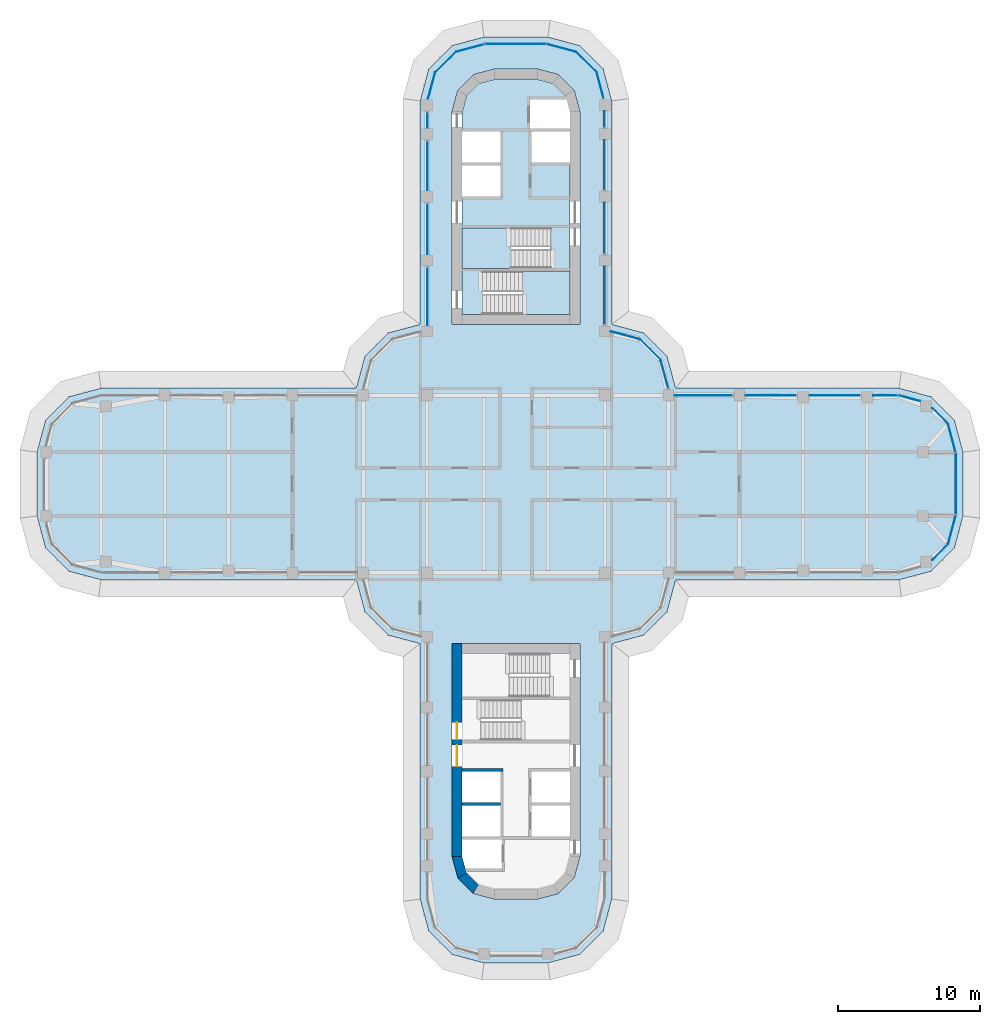
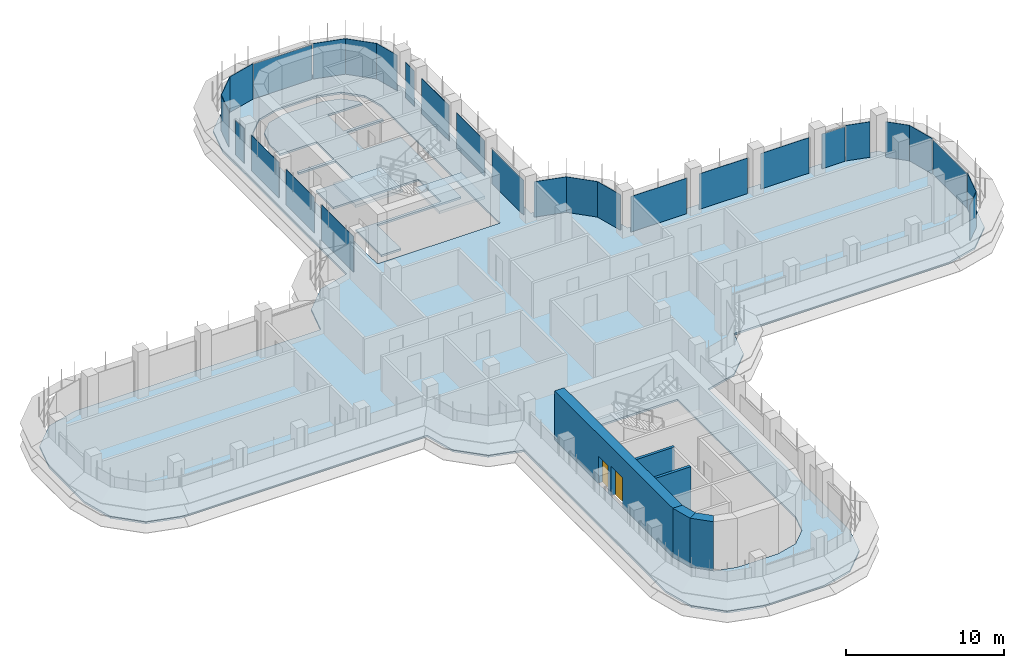
# One storey, part 13 of 20: 28 plates, 5 walls, 4 slabs, 2 doors, 2 openings, 21 elements without a shape of their own.
"""IFC4 building model written with IfcOpenShell, lengths in metres."""

from ifc_helpers import new_model, si_unit, direction, frame, frame_2d, origin, place, context, subcontext, project, spatial, polyline, rectangle, outline, extrude, source, transform, mapped, material, layer, layer_set, type_object, element, fill, aggregate, save


model = new_model("IFC4")

# Units and contexts
model_context = context("Model", 3, precision=1e-05, world=origin(), true_north=direction((0.0, 1.0)))
body_context = subcontext(model_context, "Body", "Model", "MODEL_VIEW")
ifc_project = project(units=[si_unit("LENGTHUNIT", "METRE"), si_unit("AREAUNIT", "SQUARE_METRE"), si_unit("VOLUMEUNIT", "CUBIC_METRE"), si_unit("PLANEANGLEUNIT", "RADIAN"), si_unit("MASSUNIT", "GRAM", prefix="KILO")], contexts=[model_context])

# Site, building, storey
site_placement = place(None, origin())
site = spatial("IfcSite", under=ifc_project, at=site_placement, CompositionType="ELEMENT")
building_placement = place(site_placement, origin())
building = spatial("IfcBuilding", under=site, at=building_placement, Name="Zarbagh Exchange Tower", CompositionType="ELEMENT")
storey_placement = place(building_placement, frame((0.0, 0.0, 141.0)))
storey = spatial("IfcBuildingStorey", under=building, at=storey_placement, Name="L33", CompositionType="ELEMENT", Elevation=141.0)

# Slabs
ifc_material_1 = material(Name="Concrete C40/50", Category="concrete")
ifc_layer_1 = layer(ifc_material_1, 0.14990234375)
ifc_layer_set_1 = layer_set([ifc_layer_1], Name="Composite floor slab 150 C40/50")
slab_type_1 = type_object("IfcSlabType", Name="Composite floor slab 150 C40/50", PredefinedType="FLOOR", material=ifc_layer_set_1)
slab_1_placement = place(storey_placement, frame((0.0, 0.0, -0.14990234375)))
element("IfcSlab", 1, at=slab_1_placement, inside=storey, type_object=slab_type_1, Name="S5 composite floor slab", PredefinedType="FLOOR", context=body_context, shape_type="SweptSolid", body=[
    extrude(outline(polyline([(-2.25, -33.75), (-4.5, -33.147216796875), (-6.147216796875, -31.5), (-6.75, -29.25), (-6.75, -11.25), (-9.0, -10.647216796875), (-10.647216796875, -9.0), (-11.25, -6.75), (-29.25, -6.75), (-31.5, -6.147216796875), (-33.147216796875, -4.5), (-33.75, -2.25), (-33.75, 2.25), (-33.147216796875, 4.5), (-31.5, 6.147216796875), (-29.25, 6.75), (-11.25, 6.75), (-10.647216796875, 9.0), (-9.0, 10.647216796875), (-6.75, 11.25), (-6.75, 27.0), (-6.147216796875, 29.25), (-4.5, 30.897216796875), (-2.25, 31.5), (2.25, 31.5), (4.5, 30.897216796875), (6.147216796875, 29.25), (6.75, 27.0), (6.75, 11.25), (9.0, 10.647216796875), (10.647216796875, 9.0), (11.25, 6.75), (27.0, 6.75), (29.25, 6.147216796875), (30.897216796875, 4.5), (31.5, 2.25), (31.5, -2.25), (30.897216796875, -4.5), (29.25, -6.147216796875), (27.0, -6.75), (11.25, -6.75), (10.647216796875, -9.0), (9.0, -10.647216796875), (6.75, -11.25), (6.75, -29.25), (6.147216796875, -31.5), (4.5, -33.147216796875), (2.25, -33.75), (-2.25, -33.75)]), holes=[polyline([(4.5, 11.25), (4.5, 26.25), (4.09814453125, 27.75), (3.0, 28.84814453125), (1.5, 29.25), (-1.5, 29.25), (-3.0, 28.84814453125), (-4.09814453125, 27.75), (-4.5, 26.25), (-4.5, 11.25), (4.5, 11.25)]), polyline([(-1.5, -29.25), (1.5, -29.25), (3.0, -28.84814453125), (4.09814453125, -27.75), (4.5, -26.25), (4.5, -11.25), (-4.5, -11.25), (-4.5, -26.25), (-4.09814453125, -27.75), (-3.0, -28.84814453125), (-1.5, -29.25)])]), origin(), (0.0, 0.0, 1.0), 0.14990234375),
])
ifc_layer_2 = layer(ifc_material_1, 0.14990234375)
ifc_layer_set_2 = layer_set([ifc_layer_2], Name="Core floor slab 150 C40/50")
slab_type_2 = type_object("IfcSlabType", Name="Core floor slab 150 C40/50", PredefinedType="FLOOR", material=ifc_layer_set_2)
slab_2_placement = place(storey_placement, frame((0.0, 0.0, -0.14990234375)))
element("IfcSlab", 2, at=slab_2_placement, inside=storey, type_object=slab_type_2, Name="S17 core N", PredefinedType="FLOOR", context=body_context, shape_type="SweptSolid", body=[
    extrude(outline(polyline([(-3.800048828125, 11.949951171875), (-3.800048828125, 15.199951171875), (2.449951171875, 15.199951171875), (2.449951171875, 18.050048828125), (-3.800048828125, 18.050048828125), (-3.800048828125, 20.25), (-1.10009765625, 20.25), (-1.10009765625, 22.449951171875), (-3.800048828125, 22.449951171875), (-3.800048828125, 22.64990234375), (-1.10009765625, 22.64990234375), (-1.10009765625, 24.85009765625), (-3.800048828125, 24.85009765625), (-3.800048828125, 26.15771484375), (-3.470458984375, 27.3876953125), (-2.6376953125, 28.220458984375), (-1.40771484375, 28.550048828125), (1.40771484375, 28.550048828125), (2.6376953125, 28.220458984375), (3.470458984375, 27.3876953125), (3.800048828125, 26.15771484375), (3.800048828125, 26.15771484375), (3.547607421875, 27.10009765625), (1.0, 27.10009765625), (1.0, 25.050048828125), (3.800048828125, 25.050048828125), (3.800048828125, 24.85009765625), (1.10009765625, 24.85009765625), (1.10009765625, 22.64990234375), (3.800048828125, 22.64990234375), (3.800048828125, 15.0), (-2.35009765625, 15.0), (-2.35009765625, 11.949951171875), (-3.800048828125, 11.949951171875)])), origin(), (0.0, 0.0, 1.0), 0.14990234375),
])

# Stair, slab
stair_type = type_object("IfcStairType", Name="Exit stair two-flight half-turn", PredefinedType="HALF_TURN_STAIR", material=ifc_material_1)
stair_1_placement = place(storey_placement, origin())
stair_1 = element("IfcStair", 3, at=stair_1_placement, inside=storey, type_object=stair_type, Name="exit stair ST1", PredefinedType="HALF_TURN_STAIR")
ifc_layer_3 = layer(ifc_material_1, 0.199951171875)
ifc_layer_set_3 = layer_set([ifc_layer_3], Name="Stair landing 200 mm")
slab_type_3 = type_object("IfcSlabType", Name="Stair landing 200 mm", PredefinedType="LANDING", material=ifc_layer_set_3)
slab_3_placement = place(storey_placement, frame((0.0, 0.0, 1.699951171875)))
slab_3 = element("IfcSlab", 4, at=slab_3_placement, type_object=slab_type_3, Name="ST1 landing 1", PredefinedType="LANDING", context=body_context, shape_type="SweptSolid", body=[
    extrude(outline(polyline([(-0.35009765625, 18.050048828125), (-3.800048828125, 18.050048828125), (-3.800048828125, 15.199951171875), (-0.35009765625, 15.199951171875), (-0.35009765625, 18.050048828125)])), origin(), (0.0, 0.0, 1.0), 0.199951171875),
])
aggregate(stair_1, [slab_3])

stair_2_placement = place(storey_placement, origin())
stair_2 = element("IfcStair", 5, at=stair_2_placement, inside=storey, type_object=stair_type, Name="exit stair ST2", PredefinedType="HALF_TURN_STAIR")
slab_4_placement = place(storey_placement, frame((0.0, 0.0, 1.699951171875)))
slab_4 = element("IfcSlab", 6, at=slab_4_placement, type_object=slab_type_3, Name="ST2 landing 1", PredefinedType="LANDING", context=body_context, shape_type="SweptSolid", body=[
    extrude(outline(polyline([(0.449951171875, 11.949951171875), (3.800048828125, 11.949951171875), (3.800048828125, 15.0), (0.449951171875, 15.0), (0.449951171875, 11.949951171875)])), origin(), (0.0, 0.0, 1.0), 0.199951171875),
])
aggregate(stair_2, [slab_4])

# Curtain wall, plate
ifc_material_2 = material(Name="Anodised aluminium frame and glazing", Category="aluminium")
curtain_wall_type = type_object("IfcCurtainWallType", Name="CWB Ribbon glazing, upper zones", PredefinedType="NOTDEFINED", material=ifc_material_2)
curtain_wall_1_placement = place(storey_placement, origin())
curtain_wall_1 = element("IfcCurtainWall", 7, at=curtain_wall_1_placement, inside=storey, type_object=curtain_wall_type, Name="CWB18 curtain wall", PredefinedType="NOTDEFINED")
ifc_material_3 = material(Name="Low-e double glazed unit, 6+12+6 mm")
ifc_layer_4 = layer(ifc_material_3, 0.031982421875)
ifc_layer_set_4 = layer_set([ifc_layer_4], Name="PAB Glazing panel, Low-e double glazed unit, 6+12+6 mm")
plate_type = type_object("IfcPlateType", Name="PAB Glazing panel, Low-e double glazed unit, 6+12+6 mm", PredefinedType="CURTAIN_PANEL", material=ifc_layer_set_4)
shared_shape_1 = source(origin(), body_context, "Body", "SweptSolid", [
    extrude(outline(polyline([(0.0, -0.01611328125), (2.061279296875, -0.01611328125), (2.061279296875, 0.01611328125), (0.0, 0.01611328125), (0.0, -0.01611328125)])), origin(), (0.0, 0.0, 1.0), 2.75),
])
placement = place(storey_placement, origin())
plate_1 = element("IfcPlate", 8, at=placement, type_object=plate_type, Name="CWB18 glazing panel 1.1", PredefinedType="CURTAIN_PANEL", context=body_context, shape_type="MappedRepresentation", body=[
    mapped(shared_shape_1, transform((10.19873046875, 8.7412109375, 0.0), x_axis=(-0.707106781187, 0.707106781187, 0.0), y_axis=(-0.707106781187, -0.707106781187, 0.0), z_axis=(0.0, 0.0, 1.0))),
])
aggregate(curtain_wall_1, [plate_1])

curtain_wall_2_placement = place(storey_placement, origin())
curtain_wall_2 = element("IfcCurtainWall", 9, at=curtain_wall_2_placement, inside=storey, type_object=curtain_wall_type, Name="CWB22 curtain wall", PredefinedType="NOTDEFINED")
plate_2 = element("IfcPlate", 10, at=placement, type_object=plate_type, Name="CWB22 glazing panel 1.1", PredefinedType="CURTAIN_PANEL", context=body_context, shape_type="MappedRepresentation", body=[
    mapped(shared_shape_1, transform((5.69873046875, 28.9912109375, 0.0), x_axis=(-0.707106781187, 0.707106781187, 0.0), y_axis=(-0.707106781187, -0.707106781187, 0.0), z_axis=(0.0, 0.0, 1.0))),
])
aggregate(curtain_wall_2, [plate_2])

curtain_wall_3_placement = place(storey_placement, origin())
curtain_wall_3 = element("IfcCurtainWall", 11, at=curtain_wall_3_placement, inside=storey, type_object=curtain_wall_type, Name="CWB26 curtain wall", PredefinedType="NOTDEFINED")
plate_3 = element("IfcPlate", 12, at=placement, type_object=plate_type, Name="CWB26 glazing panel 1.1", PredefinedType="CURTAIN_PANEL", context=body_context, shape_type="MappedRepresentation", body=[
    mapped(shared_shape_1, transform((-4.2412109375, 30.44873046875, 0.0), x_axis=(-0.707106781187, -0.707106781187, 0.0), y_axis=(0.707106781187, -0.707106781187, 0.0), z_axis=(0.0, 0.0, 1.0))),
])
aggregate(curtain_wall_3, [plate_3])

curtain_wall_4_placement = place(storey_placement, origin())
curtain_wall_4 = element("IfcCurtainWall", 13, at=curtain_wall_4_placement, inside=storey, type_object=curtain_wall_type, Name="CWB11 curtain wall", PredefinedType="NOTDEFINED")
shared_shape_2 = source(origin(), body_context, "Body", "SweptSolid", [
    extrude(outline(polyline([(0.0, -0.01611328125), (2.129638671875, -0.01611328125), (2.129638671875, 0.01611328125), (0.0, 0.01611328125), (0.0, -0.01611328125)])), origin(), (0.0, 0.0, 1.0), 2.75),
])
plate_4 = element("IfcPlate", 14, at=placement, type_object=plate_type, Name="CWB11 glazing panel 1.1", PredefinedType="CURTAIN_PANEL", context=body_context, shape_type="MappedRepresentation", body=[
    mapped(shared_shape_2, transform((30.44873046875, -4.2412109375, 0.0), x_axis=(0.258824779902, 0.965924289636, 0.0), y_axis=(-0.965924289636, 0.258824779902, 0.0), z_axis=(0.0, 0.0, 1.0))),
])
aggregate(curtain_wall_4, [plate_4])

curtain_wall_5_placement = place(storey_placement, origin())
curtain_wall_5 = element("IfcCurtainWall", 15, at=curtain_wall_5_placement, inside=storey, type_object=curtain_wall_type, Name="CWB23 curtain wall", PredefinedType="NOTDEFINED")
plate_5 = element("IfcPlate", 16, at=placement, type_object=plate_type, Name="CWB23 glazing panel 1.1", PredefinedType="CURTAIN_PANEL", context=body_context, shape_type="MappedRepresentation", body=[
    mapped(shared_shape_2, transform((4.2412109375, 30.44873046875, 0.0), x_axis=(-0.965924289636, 0.258824779902, 0.0), y_axis=(-0.258824779902, -0.965924289636, 0.0), z_axis=(0.0, 0.0, 1.0))),
])
aggregate(curtain_wall_5, [plate_5])

curtain_wall_6_placement = place(storey_placement, origin())
curtain_wall_6 = element("IfcCurtainWall", 17, at=curtain_wall_6_placement, inside=storey, type_object=curtain_wall_type, Name="CWB20 curtain wall", PredefinedType="NOTDEFINED")
shared_shape_3 = source(origin(), body_context, "Body", "SweptSolid", [
    extrude(outline(polyline([(0.0, -0.01611328125), (3.4599609375, -0.01611328125), (3.4599609375, 0.01611328125), (0.0, 0.01611328125), (0.0, -0.01611328125)])), origin(), (0.0, 0.0, 1.0), 2.75),
])
plate_6 = element("IfcPlate", 18, at=placement, type_object=plate_type, Name="CWB20 glazing panel 3.1", PredefinedType="CURTAIN_PANEL", context=body_context, shape_type="MappedRepresentation", body=[
    mapped(shared_shape_3, transform((6.25, 20.75, 0.0), x_axis=(0.0, 1.0, 0.0), y_axis=(-1.0, 0.0, 0.0), z_axis=(0.0, 0.0, 1.0))),
])

curtain_wall_7_placement = place(storey_placement, origin())
curtain_wall_7 = element("IfcCurtainWall", 19, at=curtain_wall_7_placement, inside=storey, type_object=curtain_wall_type, Name="CWB28 curtain wall", PredefinedType="NOTDEFINED")
plate_7 = element("IfcPlate", 20, at=placement, type_object=plate_type, Name="CWB28 glazing panel 2.1", PredefinedType="CURTAIN_PANEL", context=body_context, shape_type="MappedRepresentation", body=[
    mapped(shared_shape_3, transform((-6.25, 24.14990234375, 0.0), x_axis=(0.0, -1.0, 0.0), y_axis=(1.0, 0.0, 0.0), z_axis=(0.0, 0.0, 1.0))),
])

# Curtain wall, plates
curtain_wall_8_placement = place(storey_placement, origin())
curtain_wall_8 = element("IfcCurtainWall", 21, at=curtain_wall_8_placement, inside=storey, type_object=curtain_wall_type, Name="CWB16 curtain wall", PredefinedType="NOTDEFINED")
shared_shape_4 = source(origin(), body_context, "Body", "SweptSolid", [
    extrude(outline(polyline([(0.0, -0.01611328125), (3.56005859375, -0.01611328125), (3.56005859375, 0.01611328125), (0.0, 0.01611328125), (0.0, -0.01611328125)])), origin(), (0.0, 0.0, 1.0), 2.75),
])
plate_8 = element("IfcPlate", 22, at=placement, type_object=plate_type, Name="CWB16 glazing panel 2.1", PredefinedType="CURTAIN_PANEL", context=body_context, shape_type="MappedRepresentation", body=[
    mapped(shared_shape_4, transform((24.25, 6.25, 0.0), x_axis=(-1.0, 0.0, 0.0), y_axis=(0.0, -1.0, 0.0), z_axis=(0.0, 0.0, 1.0))),
])
plate_9 = element("IfcPlate", 23, at=placement, type_object=plate_type, Name="CWB16 glazing panel 3.1", PredefinedType="CURTAIN_PANEL", context=body_context, shape_type="MappedRepresentation", body=[
    mapped(shared_shape_4, transform((19.75, 6.25, 0.0), x_axis=(-1.0, 0.0, 0.0), y_axis=(0.0, -1.0, 0.0), z_axis=(0.0, 0.0, 1.0))),
])

# Plate
plate_10 = element("IfcPlate", 24, at=placement, type_object=plate_type, Name="CWB20 glazing panel 2.1", PredefinedType="CURTAIN_PANEL", context=body_context, shape_type="MappedRepresentation", body=[
    mapped(shared_shape_4, transform((6.25, 16.25, 0.0), x_axis=(0.0, 1.0, 0.0), y_axis=(-1.0, 0.0, 0.0), z_axis=(0.0, 0.0, 1.0))),
])

plate_11 = element("IfcPlate", 25, at=placement, type_object=plate_type, Name="CWB28 glazing panel 3.1", PredefinedType="CURTAIN_PANEL", context=body_context, shape_type="MappedRepresentation", body=[
    mapped(shared_shape_4, transform((-6.25, 19.75, 0.0), x_axis=(0.0, -1.0, 0.0), y_axis=(1.0, 0.0, 0.0), z_axis=(0.0, 0.0, 1.0))),
])

shared_shape_5 = source(origin(), body_context, "Body", "SweptSolid", [
    extrude(outline(polyline([(0.0, -0.01611328125), (4.06005859375, -0.01611328125), (4.06005859375, 0.01611328125), (0.0, 0.01611328125), (0.0, -0.01611328125)])), origin(), (0.0, 0.0, 1.0), 2.75),
])
plate_12 = element("IfcPlate", 26, at=placement, type_object=plate_type, Name="CWB16 glazing panel 4.1", PredefinedType="CURTAIN_PANEL", context=body_context, shape_type="MappedRepresentation", body=[
    mapped(shared_shape_5, transform((15.25, 6.25, 0.0), x_axis=(-1.0, 0.0, 0.0), y_axis=(0.0, -1.0, 0.0), z_axis=(0.0, 0.0, 1.0))),
])

plate_13 = element("IfcPlate", 27, at=placement, type_object=plate_type, Name="CWB28 glazing panel 4.1", PredefinedType="CURTAIN_PANEL", context=body_context, shape_type="MappedRepresentation", body=[
    mapped(shared_shape_5, transform((-6.25, 15.25, 0.0), x_axis=(0.0, -1.0, 0.0), y_axis=(1.0, 0.0, 0.0), z_axis=(0.0, 0.0, 1.0))),
])

# Curtain wall, plate
curtain_wall_9_placement = place(storey_placement, origin())
curtain_wall_9 = element("IfcCurtainWall", 28, at=curtain_wall_9_placement, inside=storey, type_object=curtain_wall_type, Name="CWB17 curtain wall", PredefinedType="NOTDEFINED")
shared_shape_6 = source(origin(), body_context, "Body", "SweptSolid", [
    extrude(outline(polyline([(0.0, -0.01611328125), (2.063720703125, -0.01611328125), (2.063720703125, 0.01611328125), (0.0, 0.01611328125), (0.0, -0.01611328125)])), origin(), (0.0, 0.0, 1.0), 2.75),
])
plate_14 = element("IfcPlate", 29, at=placement, type_object=plate_type, Name="CWB17 glazing panel 1.1", PredefinedType="CURTAIN_PANEL", context=body_context, shape_type="MappedRepresentation", body=[
    mapped(shared_shape_6, transform((10.73291015625, 6.748046875, 0.0), x_axis=(-0.258824779902, 0.965924289636, 0.0), y_axis=(-0.965924289636, -0.258824779902, 0.0), z_axis=(0.0, 0.0, 1.0))),
])
aggregate(curtain_wall_9, [plate_14])

curtain_wall_10_placement = place(storey_placement, origin())
curtain_wall_10 = element("IfcCurtainWall", 30, at=curtain_wall_10_placement, inside=storey, type_object=curtain_wall_type, Name="CWB19 curtain wall", PredefinedType="NOTDEFINED")
shared_shape_7 = source(origin(), body_context, "Body", "SweptSolid", [
    extrude(outline(polyline([(0.0, -0.01611328125), (2.12353515625, -0.01611328125), (2.12353515625, 0.01611328125), (0.0, 0.01611328125), (0.0, -0.01611328125)])), origin(), (0.0, 0.0, 1.0), 2.75),
])
plate_15 = element("IfcPlate", 31, at=placement, type_object=plate_type, Name="CWB19 glazing panel 1.1", PredefinedType="CURTAIN_PANEL", context=body_context, shape_type="MappedRepresentation", body=[
    mapped(shared_shape_7, transform((8.7412109375, 10.19873046875, 0.0), x_axis=(-0.965924289636, 0.258824779902, 0.0), y_axis=(-0.258824779902, -0.965924289636, 0.0), z_axis=(0.0, 0.0, 1.0))),
])
aggregate(curtain_wall_10, [plate_15])

# Plate
shared_shape_8 = source(origin(), body_context, "Body", "SweptSolid", [
    extrude(outline(polyline([(0.0, -0.01611328125), (4.06005859375, -0.01611328125), (4.06005859375, 0.01611328125), (0.0, 0.01611328125), (0.0, -0.01611328125)])), origin(), (0.0, 0.0, 1.0), 2.68994140625),
])
plate_16 = element("IfcPlate", 32, at=placement, type_object=plate_type, Name="CWB20 glazing panel 1.1", PredefinedType="CURTAIN_PANEL", context=body_context, shape_type="MappedRepresentation", body=[
    mapped(shared_shape_8, transform((6.25, 11.25, 0.0), x_axis=(0.0, 1.0, 0.0), y_axis=(-1.0, 0.0, 0.0), z_axis=(0.0, 0.0, 1.0))),
])

# Curtain wall, plate
curtain_wall_11_placement = place(storey_placement, origin())
curtain_wall_11 = element("IfcCurtainWall", 33, at=curtain_wall_11_placement, inside=storey, type_object=curtain_wall_type, Name="CWB10 curtain wall", PredefinedType="NOTDEFINED")
shared_shape_9 = source(origin(), body_context, "Body", "SweptSolid", [
    extrude(outline(polyline([(0.0, -0.01611328125), (1.556884765625, -0.01611328125), (1.556884765625, 0.01611328125), (0.0, 0.01611328125), (0.0, -0.01611328125)])), origin(), (0.0, 0.0, 1.0), 2.75),
])
plate_17 = element("IfcPlate", 34, at=placement, type_object=plate_type, Name="CWB10 glazing panel 1.1", PredefinedType="CURTAIN_PANEL", context=body_context, shape_type="MappedRepresentation", body=[
    mapped(shared_shape_9, transform((29.347900390625, -5.342041015625, 0.0), x_axis=(0.707106781187, 0.707106781187, 0.0), y_axis=(-0.707106781187, 0.707106781187, 0.0), z_axis=(0.0, 0.0, 1.0))),
])
aggregate(curtain_wall_11, [plate_17])

curtain_wall_12_placement = place(storey_placement, origin())
curtain_wall_12 = element("IfcCurtainWall", 35, at=curtain_wall_12_placement, inside=storey, type_object=curtain_wall_type, Name="CWB14 curtain wall", PredefinedType="NOTDEFINED")
plate_18 = element("IfcPlate", 36, at=placement, type_object=plate_type, Name="CWB14 glazing panel 1.1", PredefinedType="CURTAIN_PANEL", context=body_context, shape_type="MappedRepresentation", body=[
    mapped(shared_shape_9, transform((30.44873046875, 4.2412109375, 0.0), x_axis=(-0.707106781187, 0.707106781187, 0.0), y_axis=(-0.707106781187, -0.707106781187, 0.0), z_axis=(0.0, 0.0, 1.0))),
])
aggregate(curtain_wall_12, [plate_18])

curtain_wall_13_placement = place(storey_placement, origin())
curtain_wall_13 = element("IfcCurtainWall", 37, at=curtain_wall_13_placement, inside=storey, type_object=curtain_wall_type, Name="CWB12 curtain wall", PredefinedType="NOTDEFINED")
shared_shape_10 = source(origin(), body_context, "Body", "SweptSolid", [
    extrude(outline(polyline([(0.0, -0.01611328125), (4.308349609375, -0.01611328125), (4.308349609375, 0.01611328125), (0.0, 0.01611328125), (0.0, -0.01611328125)])), origin(), (0.0, 0.0, 1.0), 2.68994140625),
])
plate_19 = element("IfcPlate", 38, at=placement, type_object=plate_type, Name="CWB12 glazing panel 1.1", PredefinedType="CURTAIN_PANEL", context=body_context, shape_type="MappedRepresentation", body=[
    mapped(shared_shape_10, transform((31.0, -2.124267578125, 0.0), x_axis=(0.0, 1.0, 0.0), y_axis=(-1.0, 0.0, 0.0), z_axis=(0.0, 0.0, 1.0))),
])
aggregate(curtain_wall_13, [plate_19])

curtain_wall_14_placement = place(storey_placement, origin())
curtain_wall_14 = element("IfcCurtainWall", 39, at=curtain_wall_14_placement, inside=storey, type_object=curtain_wall_type, Name="CWB24 curtain wall", PredefinedType="NOTDEFINED")
plate_20 = element("IfcPlate", 40, at=placement, type_object=plate_type, Name="CWB24 glazing panel 1.1", PredefinedType="CURTAIN_PANEL", context=body_context, shape_type="MappedRepresentation", body=[
    mapped(shared_shape_10, transform((2.124267578125, 31.0, 0.0), x_axis=(-1.0, 0.0, 0.0), y_axis=(0.0, -1.0, 0.0), z_axis=(0.0, 0.0, 1.0))),
])
aggregate(curtain_wall_14, [plate_20])

curtain_wall_15_placement = place(storey_placement, origin())
curtain_wall_15 = element("IfcCurtainWall", 41, at=curtain_wall_15_placement, inside=storey, type_object=curtain_wall_type, Name="CWB13 curtain wall", PredefinedType="NOTDEFINED")
shared_shape_11 = source(origin(), body_context, "Body", "SweptSolid", [
    extrude(outline(polyline([(0.0, -0.01611328125), (2.069580078125, -0.01611328125), (2.069580078125, 0.01611328125), (0.0, 0.01611328125), (0.0, -0.01611328125)])), origin(), (0.0, 0.0, 1.0), 2.75),
])
plate_21 = element("IfcPlate", 42, at=placement, type_object=plate_type, Name="CWB13 glazing panel 1.1", PredefinedType="CURTAIN_PANEL", context=body_context, shape_type="MappedRepresentation", body=[
    mapped(shared_shape_11, transform((30.984375, 2.2421875, 0.0), x_axis=(-0.258824779902, 0.965924289636, 0.0), y_axis=(-0.965924289636, -0.258824779902, 0.0), z_axis=(0.0, 0.0, 1.0))),
])
aggregate(curtain_wall_15, [plate_21])

curtain_wall_16_placement = place(storey_placement, origin())
curtain_wall_16 = element("IfcCurtainWall", 43, at=curtain_wall_16_placement, inside=storey, type_object=curtain_wall_type, Name="CWB25 curtain wall", PredefinedType="NOTDEFINED")
plate_22 = element("IfcPlate", 44, at=placement, type_object=plate_type, Name="CWB25 glazing panel 1.1", PredefinedType="CURTAIN_PANEL", context=body_context, shape_type="MappedRepresentation", body=[
    mapped(shared_shape_11, transform((-2.2421875, 30.984375, 0.0), x_axis=(-0.965924289636, -0.258824779902, 0.0), y_axis=(0.258824779902, -0.965924289636, 0.0), z_axis=(0.0, 0.0, 1.0))),
])
aggregate(curtain_wall_16, [plate_22])

curtain_wall_17_placement = place(storey_placement, origin())
curtain_wall_17 = element("IfcCurtainWall", 45, at=curtain_wall_17_placement, inside=storey, type_object=curtain_wall_type, Name="CWB15 curtain wall", PredefinedType="NOTDEFINED")
shared_shape_12 = source(origin(), body_context, "Body", "SweptSolid", [
    extrude(outline(polyline([(0.0, -0.01611328125), (1.587890625, -0.01611328125), (1.587890625, 0.01611328125), (0.0, 0.01611328125), (0.0, -0.01611328125)])), origin(), (0.0, 0.0, 1.0), 2.75),
])
plate_23 = element("IfcPlate", 46, at=placement, type_object=plate_type, Name="CWB15 glazing panel 1.1", PredefinedType="CURTAIN_PANEL", context=body_context, shape_type="MappedRepresentation", body=[
    mapped(shared_shape_12, transform((28.468017578125, 5.839111328125, 0.0), x_axis=(-0.965924289636, 0.258824779902, 0.0), y_axis=(-0.258824779902, -0.965924289636, 0.0), z_axis=(0.0, 0.0, 1.0))),
])
aggregate(curtain_wall_17, [plate_23])

# Plate
shared_shape_13 = source(origin(), body_context, "Body", "SweptSolid", [
    extrude(outline(polyline([(0.0, -0.01611328125), (1.68408203125, -0.01611328125), (1.68408203125, 0.01611328125), (0.0, 0.01611328125), (0.0, -0.01611328125)])), origin(), (0.0, 0.0, 1.0), 2.68994140625),
])
plate_24 = element("IfcPlate", 47, at=placement, type_object=plate_type, Name="CWB16 glazing panel 1.1", PredefinedType="CURTAIN_PANEL", context=body_context, shape_type="MappedRepresentation", body=[
    mapped(shared_shape_13, transform((26.874267578125, 6.25, 0.0), x_axis=(-1.0, 0.0, 0.0), y_axis=(0.0, -1.0, 0.0), z_axis=(0.0, 0.0, 1.0))),
])

aggregate(curtain_wall_8, [plate_24, plate_8, plate_9, plate_12])

shared_shape_14 = source(origin(), body_context, "Body", "SweptSolid", [
    extrude(outline(polyline([(0.0, -0.01611328125), (1.110107421875, -0.01611328125), (1.110107421875, 0.01611328125), (0.0, 0.01611328125), (0.0, -0.01611328125)])), origin(), (0.0, 0.0, 1.0), 2.75),
])
plate_25 = element("IfcPlate", 48, at=placement, type_object=plate_type, Name="CWB20 glazing panel 4.1", PredefinedType="CURTAIN_PANEL", context=body_context, shape_type="MappedRepresentation", body=[
    mapped(shared_shape_14, transform((6.25, 25.150146484375, 0.0), x_axis=(0.0, 1.0, 0.0), y_axis=(-1.0, 0.0, 0.0), z_axis=(0.0, 0.0, 1.0))),
])

aggregate(curtain_wall_6, [plate_16, plate_10, plate_6, plate_25])

# Curtain wall, plate
curtain_wall_18_placement = place(storey_placement, origin())
curtain_wall_18 = element("IfcCurtainWall", 49, at=curtain_wall_18_placement, inside=storey, type_object=curtain_wall_type, Name="CWB21 curtain wall", PredefinedType="NOTDEFINED")
shared_shape_15 = source(origin(), body_context, "Body", "SweptSolid", [
    extrude(outline(polyline([(0.0, -0.01611328125), (1.8564453125, -0.01611328125), (1.8564453125, 0.01611328125), (0.0, 0.01611328125), (0.0, -0.01611328125)])), origin(), (0.0, 0.0, 1.0), 2.75),
])
plate_26 = element("IfcPlate", 50, at=placement, type_object=plate_type, Name="CWB21 glazing panel 1.1", PredefinedType="CURTAIN_PANEL", context=body_context, shape_type="MappedRepresentation", body=[
    mapped(shared_shape_15, transform((6.17919921875, 27.197998046875, 0.0), x_axis=(-0.258824779902, 0.965924289636, 0.0), y_axis=(-0.965924289636, -0.258824779902, 0.0), z_axis=(0.0, 0.0, 1.0))),
])
aggregate(curtain_wall_18, [plate_26])

curtain_wall_19_placement = place(storey_placement, origin())
curtain_wall_19 = element("IfcCurtainWall", 51, at=curtain_wall_19_placement, inside=storey, type_object=curtain_wall_type, Name="CWB27 curtain wall", PredefinedType="NOTDEFINED")
shared_shape_16 = source(origin(), body_context, "Body", "SweptSolid", [
    extrude(outline(polyline([(0.0, -0.01611328125), (1.91650390625, -0.01611328125), (1.91650390625, 0.01611328125), (0.0, 0.01611328125), (0.0, -0.01611328125)])), origin(), (0.0, 0.0, 1.0), 2.75),
])
plate_27 = element("IfcPlate", 52, at=placement, type_object=plate_type, Name="CWB27 glazing panel 1.1", PredefinedType="CURTAIN_PANEL", context=body_context, shape_type="MappedRepresentation", body=[
    mapped(shared_shape_16, transform((-5.69873046875, 28.9912109375, 0.0), x_axis=(-0.258824779902, -0.965924289636, 0.0), y_axis=(0.965924289636, -0.258824779902, 0.0), z_axis=(0.0, 0.0, 1.0))),
])
aggregate(curtain_wall_19, [plate_27])

# Plate
shared_shape_17 = source(origin(), body_context, "Body", "SweptSolid", [
    extrude(outline(polyline([(0.0, -0.01611328125), (1.110107421875, -0.01611328125), (1.110107421875, 0.01611328125), (0.0, 0.01611328125), (0.0, -0.01611328125)])), origin(), (0.0, 0.0, 1.0), 2.68994140625),
])
plate_28 = element("IfcPlate", 53, at=placement, type_object=plate_type, Name="CWB28 glazing panel 1.1", PredefinedType="CURTAIN_PANEL", context=body_context, shape_type="MappedRepresentation", body=[
    mapped(shared_shape_17, transform((-6.25, 26.199951171875, 0.0), x_axis=(0.0, -1.0, 0.0), y_axis=(1.0, 0.0, 0.0), z_axis=(0.0, 0.0, 1.0))),
])

aggregate(curtain_wall_7, [plate_28, plate_7, plate_11, plate_13])

# Walls
ifc_material_4 = material(Name="Concrete C50/60", Category="concrete")
ifc_layer_5 = layer(ifc_material_4, 0.699951171875)
ifc_layer_set_5 = layer_set([ifc_layer_5], Name="RC core corner wall 700 C50/60")
wall_type_1 = type_object("IfcWallType", Name="RC core corner wall 700 C50/60", PredefinedType="SHEAR", material=ifc_layer_set_5)
wall_1_placement = place(storey_placement, origin())
element("IfcWall", 54, at=wall_1_placement, inside=storey, type_object=wall_type_1, Name="CW6 core S corner W", PredefinedType="SHEAR", context=body_context, shape_type="SweptSolid", body=[
    extrude(outline(polyline([(-4.5, -26.25), (-4.09814453125, -27.75), (-3.491943359375, -27.39990234375), (-3.800048828125, -26.25), (-4.5, -26.25)])), origin(), (0.0, 0.0, 1.0), 3.800048828125),
])
wall_2_placement = place(storey_placement, origin())
element("IfcWall", 55, at=wall_2_placement, inside=storey, type_object=wall_type_1, Name="CW6 core S corner W", PredefinedType="SHEAR", context=body_context, shape_type="SweptSolid", body=[
    extrude(outline(polyline([(-4.09814453125, -27.75), (-3.0, -28.84814453125), (-2.64990234375, -28.241943359375), (-3.491943359375, -27.39990234375), (-4.09814453125, -27.75)])), origin(), (0.0, 0.0, 1.0), 3.800048828125),
])

# Wall, openings, doors
ifc_layer_6 = layer(ifc_material_4, 0.699951171875)
ifc_layer_set_6 = layer_set([ifc_layer_6], Name="RC core wall 700 C50/60")
wall_type_2 = type_object("IfcWallType", Name="RC core wall 700 C50/60", PredefinedType="SHEAR", material=ifc_layer_set_6)
wall_3_placement = place(storey_placement, frame((-4.14990234375, -11.25, 0.0), z_axis=(0.0, 0.0, 1.0), x_axis=(0.0, -1.0, 0.0)))
wall_3 = element("IfcWall", 56, at=wall_3_placement, inside=storey, type_object=wall_type_2, Name="CW5 core S W", PredefinedType="SHEAR", context=body_context, shape_type="SweptSolid", body=[
    extrude(rectangle(XDim=15.0, YDim=0.699951171875, at=frame_2d((7.5, 0.0))), origin(), (0.0, 0.0, 1.0), 3.800048828125),
])
opening_1_placement = place(wall_3_placement, frame((7.14990234375, 0.0, 0.0)))
opening_1 = element("IfcOpeningElement", 57, at=opening_1_placement, cuts=wall_3, Name="Opening CD1-1500", PredefinedType="OPENING", context=body_context, shape_type="SweptSolid", body=[
    extrude(rectangle(XDim=1.5, YDim=2.300048828125, at=frame_2d((0.75, 1.14990234375))), frame((0.0, 0.35986328125, 0.0), z_axis=(0.0, -1.0, 0.0), x_axis=(1.0, 0.0, 0.0)), (0.0, 0.0, 1.0), 0.719970703125),
])
opening_2_placement = place(wall_3_placement, frame((5.550048828125, 0.0, 0.0)))
opening_2 = element("IfcOpeningElement", 58, at=opening_2_placement, cuts=wall_3, Name="Opening SD1-1200", PredefinedType="OPENING", context=body_context, shape_type="SweptSolid", body=[
    extrude(rectangle(XDim=1.199951171875, YDim=2.10009765625, at=frame_2d((0.60009765625, 1.050048828125))), frame((0.0, 0.35986328125, 0.0), z_axis=(0.0, -1.0, 0.0), x_axis=(1.0, 0.0, 0.0)), (0.0, 0.0, 1.0), 0.719970703125),
])
ifc_material_5 = material(Name="Steel", Category="steel")
door_type_1 = type_object("IfcDoorType", Name="Exit stair door 1200 x 2100", OperationType="NOTDEFINED", PredefinedType="DOOR", material=ifc_material_5)
door_1_placement = place(opening_2_placement, origin())
door_1 = element("IfcDoor", 59, at=door_1_placement, inside=storey, type_object=door_type_1, Name="South core stair door ST1", OperationType="SINGLE_SWING_LEFT", OverallHeight=2.10009765625, OverallWidth=1.199951171875, PredefinedType="DOOR", context=body_context, shape_type="SweptSolid", body=[
    extrude(rectangle(XDim=1.199951171875, YDim=2.10009765625, at=frame_2d((0.60009765625, 1.050048828125))), frame((0.0, 0.02490234375, 0.0), z_axis=(0.0, -1.0, 0.0), x_axis=(1.0, 0.0, 0.0)), (0.0, 0.0, 1.0), 0.050048828125),
])
fill(opening_2, door_1)
door_type_2 = type_object("IfcDoorType", Name="Lift lobby double door 1500 x 2300", OperationType="NOTDEFINED", PredefinedType="DOOR", material=ifc_material_5)
door_2_placement = place(opening_1_placement, origin())
door_2 = element("IfcDoor", 60, at=door_2_placement, inside=storey, type_object=door_type_2, Name="South core lift lobby door LOBBY-E", OperationType="DOUBLE_DOOR_SINGLE_SWING", OverallHeight=2.300048828125, OverallWidth=1.5, PredefinedType="DOOR", context=body_context, shape_type="SweptSolid", body=[
    extrude(rectangle(XDim=1.5, YDim=2.300048828125, at=frame_2d((0.75, 1.14990234375))), frame((0.0, 0.02490234375, 0.0), z_axis=(0.0, -1.0, 0.0), x_axis=(1.0, 0.0, 0.0)), (0.0, 0.0, 1.0), 0.050048828125),
])
fill(opening_1, door_2)

# Walls
ifc_material_6 = material(Name="Dense blockwork", Category="masonry")
ifc_layer_7 = layer(ifc_material_6, 0.199951171875)
ifc_layer_set_7 = layer_set([ifc_layer_7], Name="Shaft wall 200 mm blockwork")
wall_type_3 = type_object("IfcWallType", Name="Shaft wall 200 mm blockwork", PredefinedType="PARTITIONING", material=ifc_layer_set_7)
wall_4_placement = place(storey_placement, frame((-0.89990234375, -20.14990234375, 0.0), z_axis=(0.0, 0.0, 1.0), x_axis=(-1.0, 0.0, 0.0)))
element("IfcWall", 61, at=wall_4_placement, inside=storey, type_object=wall_type_3, Name="South core shaft wall AB-E", PredefinedType="PARTITIONING", context=body_context, shape_type="SweptSolid", body=[
    extrude(rectangle(XDim=2.900146484375, YDim=0.199951171875, at=frame_2d((1.4501953125, 0.0))), origin(), (0.0, 0.0, 1.0), 3.64990234375),
])
wall_5_placement = place(storey_placement, frame((-1.10009765625, -22.550048828125, 0.0), z_axis=(0.0, 0.0, 1.0), x_axis=(-1.0, 0.0, 0.0)))
element("IfcWall", 62, at=wall_5_placement, inside=storey, type_object=wall_type_3, Name="South core shaft wall TR-E", PredefinedType="PARTITIONING", context=body_context, shape_type="SweptSolid", body=[
    extrude(rectangle(XDim=2.699951171875, YDim=0.199951171875, at=frame_2d((1.35009765625, 0.0))), origin(), (0.0, 0.0, 1.0), 3.64990234375),
])

save(model, "model.ifc")
